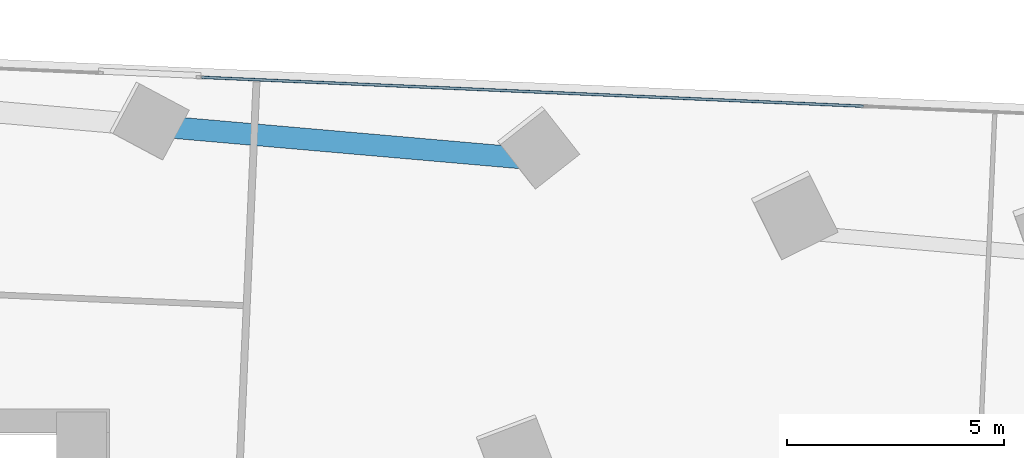
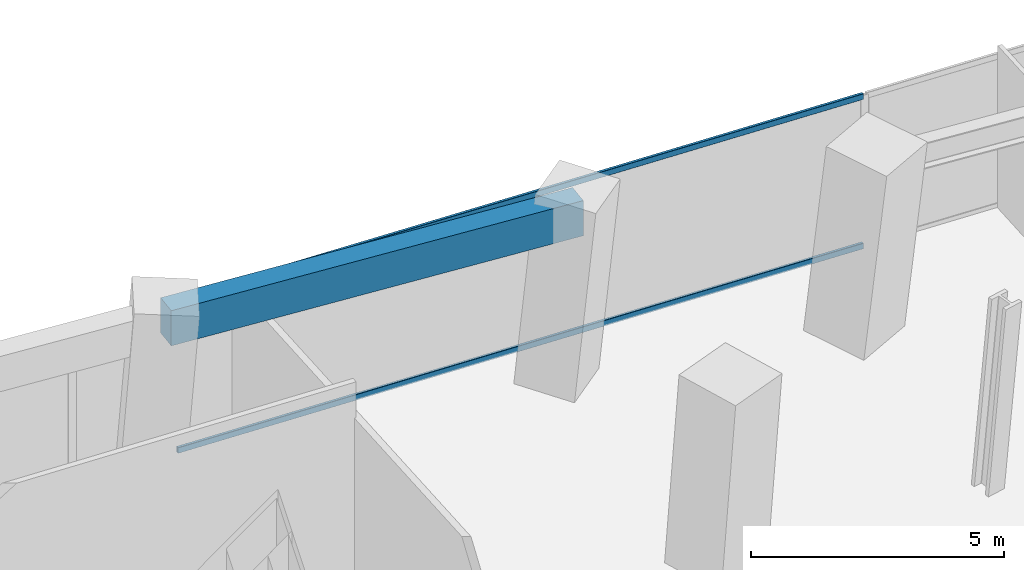
# One storey, part 18 of 26: 2 members, 1 beam, 1 element without a shape of its own.
"""IFC4 building model written with IfcOpenShell, lengths in metres."""

from ifc_helpers import new_model, si_unit, direction, frame, origin, origin_2d, place, context, subcontext, project, spatial, rectangle, hollow_rectangle, extrude, source, transform, mapped, material, material_profile, profile_set, type_object, element, aggregate, save


model = new_model("IFC4")

# Units and contexts
model_context = context("Model", 3, precision=1e-05, world=origin(), true_north=direction((0.0, 1.0)))
body_context = subcontext(model_context, "Body", "Model", "MODEL_VIEW")
ifc_project = project(units=[si_unit("LENGTHUNIT", "METRE"), si_unit("AREAUNIT", "SQUARE_METRE"), si_unit("VOLUMEUNIT", "CUBIC_METRE"), si_unit("PLANEANGLEUNIT", "RADIAN"), si_unit("MASSUNIT", "GRAM", prefix="KILO")], contexts=[model_context])

# Site, building, storey
site_placement = place(None, origin())
site = spatial("IfcSite", under=ifc_project, at=site_placement, CompositionType="ELEMENT")
building_placement = place(site_placement, origin())
building = spatial("IfcBuilding", under=site, at=building_placement, Name="Torre Montelarca", CompositionType="ELEMENT")
storey_placement = place(building_placement, frame((0.0, 0.0, 42.39990234375)))
storey = spatial("IfcBuildingStorey", under=building, at=storey_placement, Name="L09", CompositionType="ELEMENT", Elevation=42.39990234375)

# Beam
ifc_material_1 = material(Name="Concrete C55/67", Category="concrete")
ifc_material_profile_1 = material_profile(ifc_material_1, rectangle(XDim=0.5, YDim=0.85009765625, at=origin_2d()), Name="RCB500X850", Category="concrete")
ifc_profile_set_1 = profile_set([ifc_material_profile_1], Name="Concrete C55/67")
beam_type = type_object("IfcBeamType", Name="BM-SP-RC850-EXT", PredefinedType="SPANDREL", material=ifc_profile_set_1)
shared_shape_1 = source(origin(), body_context, "Body", "SweptSolid", [
    extrude(rectangle(XDim=0.5, YDim=0.85009765625, at=origin_2d()), origin(), (0.0, 0.0, 1.0), 8.999755859375),
])
beam_placement = place(storey_placement, frame((28.299560546875, 46.613037109375, 4.135009765625), z_axis=(0.996194335816, -0.087159883478, 0.0), x_axis=(0.087159883478, 0.996194335816, 0.0)))
element("IfcBeam", 1, at=beam_placement, inside=storey, type_object=beam_type, Name="L09 Grid Girder X 27.0-36.0 at Y=47.1", PredefinedType="SPANDREL", context=body_context, shape_type="MappedRepresentation", body=[
    mapped(shared_shape_1, transform((0.0, 0.0, 0.0), scale=1.0)),
])

# Curtain wall, members
ifc_material_2 = material(Name="Insulated low-E laminated glass", Category="glass")
curtain_wall_type = type_object("IfcCurtainWallType", Name="CW-SYS-Z1", PredefinedType="USERDEFINED", material=ifc_material_2)
curtain_wall_placement = place(storey_placement, origin())
curtain_wall = element("IfcCurtainWall", 2, at=curtain_wall_placement, inside=storey, type_object=curtain_wall_type, Name="L09 Curtain Wall Run CW-T3-L09-E08-B1", ObjectType="UNITISED GLAZING", PredefinedType="USERDEFINED")
ifc_material_3 = material(Name="Anodised aluminium AA 6063-T6", Category="aluminium")
ifc_material_profile_2 = material_profile(ifc_material_3, hollow_rectangle(XDim=0.06494140625, YDim=0.139892578125, WallThickness=0.00390625, InnerFilletRadius=0.00390625, OuterFilletRadius=0.008056640625, at=origin_2d()), Name="ALU65X140X4", Category="aluminium")
ifc_profile_set_2 = profile_set([ifc_material_profile_2], Name="Anodised aluminium AA 6063-T6")
member_type = type_object("IfcMemberType", Name="CWT-ALU140", PredefinedType="USERDEFINED", material=ifc_profile_set_2)
shared_shape_2 = source(origin(), body_context, "Body", "SweptSolid", [
    extrude(hollow_rectangle(XDim=0.06494140625, YDim=0.139892578125, WallThickness=0.00390625, InnerFilletRadius=0.00390625, OuterFilletRadius=0.008056640625, at=origin_2d()), origin(), (0.0, 0.0, 1.0), 15.2900390625),
])
member_1_placement = place(storey_placement, frame((44.493896484375, 47.081298828125, 0.03271484375), z_axis=(-0.999048067016, 0.04362292736, 0.0), x_axis=(-0.04362292736, -0.999048067016, 0.0)))
member_1 = element("IfcMember", 3, at=member_1_placement, type_object=member_type, Name="CW transom 2.1", ObjectType="TRANSOM", PredefinedType="USERDEFINED", context=body_context, shape_type="MappedRepresentation", body=[
    mapped(shared_shape_2, transform((0.0, 0.0, 0.0), scale=1.0)),
])
member_2_placement = place(storey_placement, frame((44.493896484375, 47.081298828125, 3.642578125), z_axis=(-0.999048067016, 0.04362292736, 0.0), x_axis=(-0.04362292736, -0.999048067016, 0.0)))
member_2 = element("IfcMember", 4, at=member_2_placement, type_object=member_type, Name="CW transom 2.2", ObjectType="TRANSOM", PredefinedType="USERDEFINED", context=body_context, shape_type="MappedRepresentation", body=[
    mapped(shared_shape_2, transform((0.0, 0.0, 0.0), scale=1.0)),
])
aggregate(curtain_wall, [member_1, member_2])

save(model, "model.ifc")
